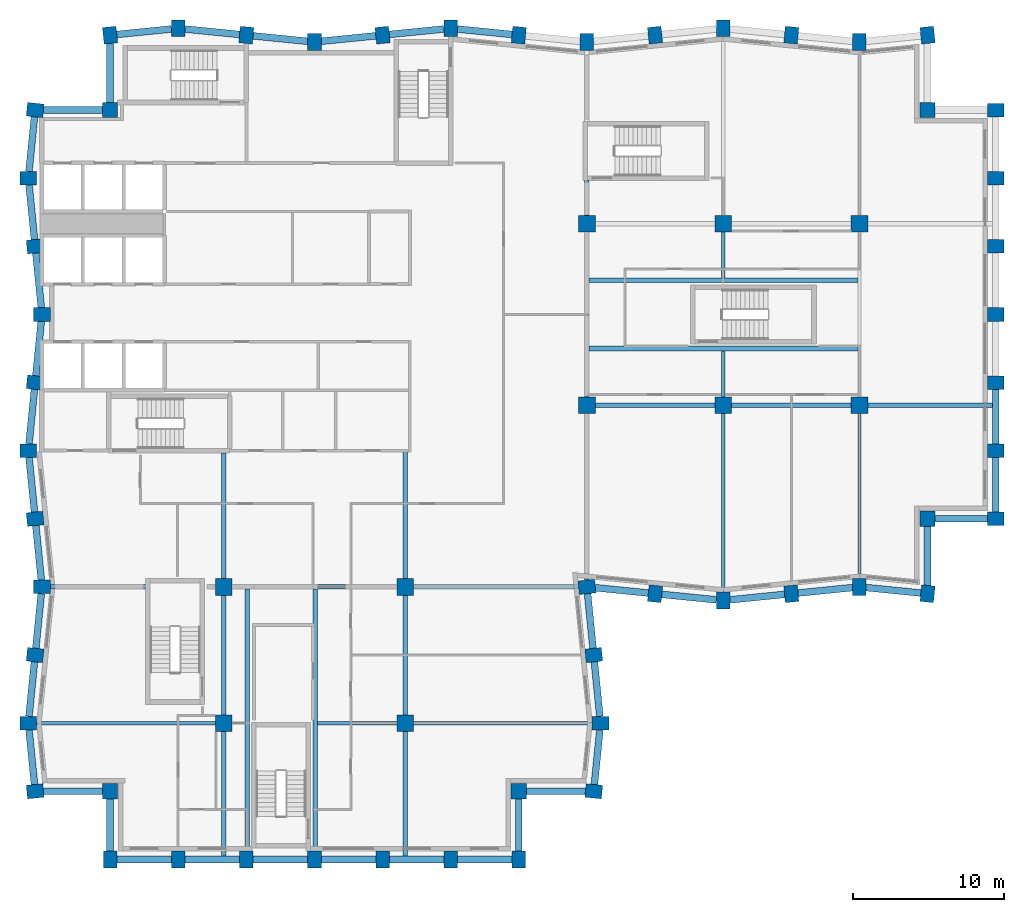
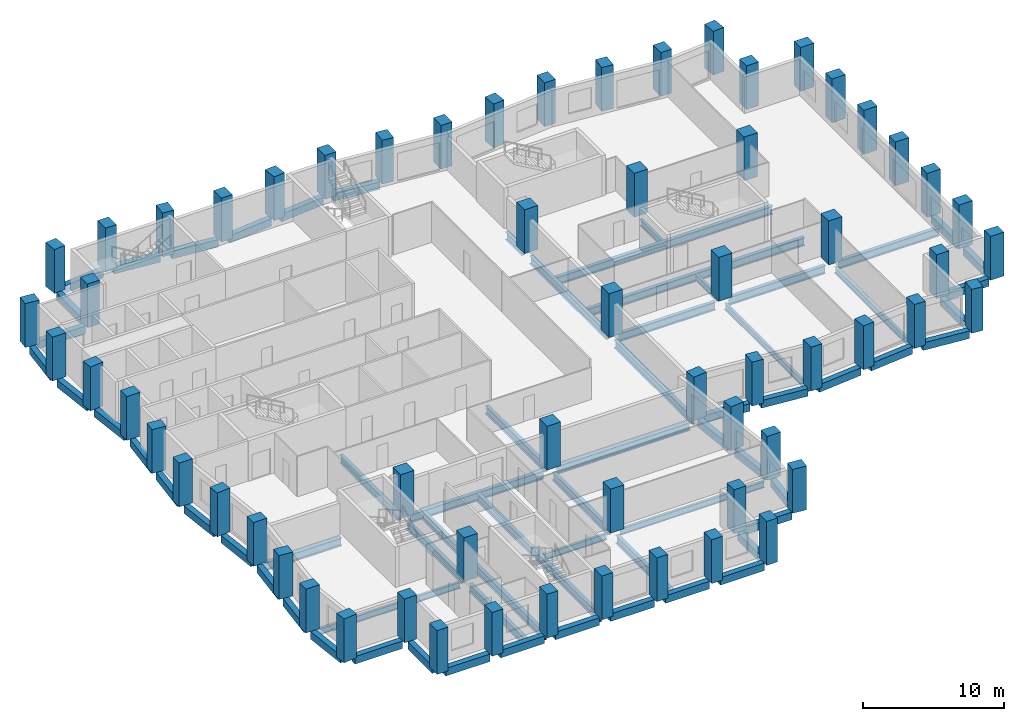
# One storey, part 1 of 10: 66 beams, 62 columns.
"""IFC4 building model written with IfcOpenShell, lengths in metres."""

from ifc_helpers import new_model, si_unit, direction, frame, origin, origin_2d, place, context, subcontext, project, spatial, rectangle, i_section, extrude, material, material_profile, profile_set, type_object, element, save


model = new_model("IFC4")

# Units and contexts
model_context = context("Model", 3, precision=1e-05, world=origin(), true_north=direction((0.0, 1.0)))
body_context = subcontext(model_context, "Body", "Model", "MODEL_VIEW")
ifc_project = project(units=[si_unit("LENGTHUNIT", "METRE"), si_unit("AREAUNIT", "SQUARE_METRE"), si_unit("VOLUMEUNIT", "CUBIC_METRE"), si_unit("PLANEANGLEUNIT", "RADIAN"), si_unit("MASSUNIT", "GRAM", prefix="KILO")], contexts=[model_context])

# Site, building, storey
site_placement = place(None, origin())
site = spatial("IfcSite", under=ifc_project, at=site_placement, CompositionType="ELEMENT")
building_placement = place(site_placement, origin())
building = spatial("IfcBuilding", under=site, at=building_placement, Name="Brondeck Convention Tower", CompositionType="ELEMENT")
storey_placement = place(building_placement, frame((0.0, 0.0, 162.39990234375)))
storey = spatial("IfcBuildingStorey", under=building, at=storey_placement, Name="L39", CompositionType="ELEMENT", Elevation=162.39990234375)

# Columns
ifc_material_1 = material(Name="Concrete C70/85", Category="concrete")
ifc_material_profile_1 = material_profile(ifc_material_1, rectangle(XDim=1.0, YDim=1.0, at=origin_2d()), Name="Corner column 1000x1000 Concrete C70/85")
ifc_profile_set_1 = profile_set([ifc_material_profile_1], Name="Concrete C70/85")
column_type_1 = type_object("IfcColumnType", Name="Corner column 1000x1000 Concrete C70/85", PredefinedType="COLUMN", material=ifc_profile_set_1)
for number, where, z_axis, x_axis, name in (
    (1, (4.5, 13.5, 0.0), (0.0, 0.0, 1.0), (1.0, 0.0, 0.0), "STR-COL-L39-NC-SWB9"),
    (2, (31.5, 13.5, 0.0), (0.0, 0.0, 1.0), (1.0, 0.0, 0.0), "STR-COL-L39-NC-SEB9"),
    (3, (58.5, 31.5, 0.0), (0.0, 0.0, 1.0), (1.0, 0.0, 0.0), "STR-COL-L39-NC-SEA63"),
    (4, (58.5, 58.5, 0.0), (0.0, 0.0, 1.0), (1.0, 0.0, 0.0), "STR-COL-L39-NC-NEA63"),
    (5, (4.5, 58.5, 0.0), (0.0, 0.0, 1.0), (1.0, 0.0, 0.0), "STR-COL-L39-NC-NW"),
):
    element("IfcColumn", number, at=place(storey_placement, frame(where, z_axis=z_axis, x_axis=x_axis)), inside=storey, type_object=column_type_1, Name=name, PredefinedType="COLUMN", context=body_context, shape_type="SweptSolid", body=[
        extrude(rectangle(XDim=1.0, YDim=1.0, at=origin_2d()), origin(), (0.0, 0.0, 1.0), 3.800048828125),
    ])
ifc_material_profile_2 = material_profile(ifc_material_1, rectangle(XDim=1.10009765625, YDim=1.10009765625, at=origin_2d()), Name="Interior column 1100x1100 Concrete C70/85")
ifc_profile_set_2 = profile_set([ifc_material_profile_2], Name="Concrete C70/85")
column_type_2 = type_object("IfcColumnType", Name="Interior column 1100x1100 Concrete C70/85", PredefinedType="COLUMN", material=ifc_profile_set_2)
for number, where, z_axis, x_axis, name in (
    (6, (12.0, 18.0, 0.0), (0.0, 0.0, 1.0), (1.0, 0.0, 0.0), "STR-COL-L39-IC-02"),
    (7, (12.0, 27.0, 0.0), (0.0, 0.0, 1.0), (1.0, 0.0, 0.0), "STR-COL-L39-IC-03"),
    (8, (24.0, 18.0, 0.0), (0.0, 0.0, 1.0), (1.0, 0.0, 0.0), "STR-COL-L39-IC-05"),
    (9, (24.0, 27.0, 0.0), (0.0, 0.0, 1.0), (1.0, 0.0, 0.0), "STR-COL-L39-IC-06"),
    (10, (36.0, 39.0, 0.0), (0.0, 0.0, 1.0), (1.0, 0.0, 0.0), "STR-COL-L39-IC-07"),
    (11, (36.0, 51.0, 0.0), (0.0, 0.0, 1.0), (1.0, 0.0, 0.0), "STR-COL-L39-IC-08"),
    (12, (45.0, 39.0, 0.0), (0.0, 0.0, 1.0), (1.0, 0.0, 0.0), "STR-COL-L39-IC-09"),
    (13, (45.0, 51.0, 0.0), (0.0, 0.0, 1.0), (1.0, 0.0, 0.0), "STR-COL-L39-IC-10"),
    (14, (54.0, 39.0, 0.0), (0.0, 0.0, 1.0), (1.0, 0.0, 0.0), "STR-COL-L39-IC-11"),
    (15, (54.0, 51.0, 0.0), (0.0, 0.0, 1.0), (1.0, 0.0, 0.0), "STR-COL-L39-IC-12"),
):
    element("IfcColumn", number, at=place(storey_placement, frame(where, z_axis=z_axis, x_axis=x_axis)), inside=storey, type_object=column_type_2, Name=name, PredefinedType="COLUMN", context=body_context, shape_type="SweptSolid", body=[
        extrude(rectangle(XDim=1.10009765625, YDim=1.10009765625, at=origin_2d()), origin(), (0.0, 0.0, 1.0), 3.800048828125),
    ])
ifc_material_profile_3 = material_profile(ifc_material_1, rectangle(XDim=0.89990234375, YDim=1.10009765625, at=origin_2d()), Name="Perimeter pier 900x1100 Concrete C70/85")
ifc_profile_set_3 = profile_set([ifc_material_profile_3], Name="Concrete C70/85")
column_type_3 = type_object("IfcColumnType", Name="Perimeter pier 900x1100 Concrete C70/85", PredefinedType="COLUMN", material=ifc_profile_set_3)
for number, where, z_axis, x_axis, name in (
    (16, (4.5, 9.0, 0.0), (0.0, 0.0, 1.0), (1.0, 0.0, 0.0), "STR-COL-L39-PC-B-S9-01"),
    (17, (9.0, 9.0, 0.0), (0.0, 0.0, 1.0), (1.0, 0.0, 0.0), "STR-COL-L39-PC-B-S9-02"),
    (18, (13.5, 9.0, 0.0), (0.0, 0.0, 1.0), (1.0, 0.0, 0.0), "STR-COL-L39-PC-B-S9-03"),
    (19, (18.0, 9.0, 0.0), (0.0, 0.0, 1.0), (1.0, 0.0, 0.0), "STR-COL-L39-PC-B-S9-04"),
    (20, (22.5, 9.0, 0.0), (0.0, 0.0, 1.0), (1.0, 0.0, 0.0), "STR-COL-L39-PC-B-S9-05"),
    (21, (27.0, 9.0, 0.0), (0.0, 0.0, 1.0), (1.0, 0.0, 0.0), "STR-COL-L39-PC-B-S9-06"),
    (22, (31.5, 9.0, 0.0), (0.0, 0.0, 1.0), (1.0, 0.0, 0.0), "STR-COL-L39-PC-B-S9-07"),
    (23, (36.449951171875, 13.5, 0.0), (0.0, 0.0, 1.0), (0.0995038382, 0.995037178292, 0.0), "STR-COL-L39-PC-B-E-03"),
    (24, (36.89990234375, 18.0, 0.0), (0.0, 0.0, 1.0), (0.0, 1.0, 0.0), "STR-COL-L39-PC-B-E-02"),
    (25, (36.449951171875, 22.5, 0.0), (0.0, 0.0, 1.0), (-0.0995038382, 0.995037178292, 0.0), "STR-COL-L39-PC-B-E-01"),
    (26, (36.0, 27.0, 0.0), (0.0, 0.0, 1.0), (-0.0995038382, 0.995037178292, 0.0), "STR-COL-L39-PC-B-E-00"),
    (27, (40.5, 26.550048828125, 0.0), (0.0, 0.0, 1.0), (0.995037178292, -0.0995038382, 0.0), "STR-COL-L39-PC-A-S-01"),
    (28, (45.0, 26.10009765625, 0.0), (0.0, 0.0, 1.0), (1.0, 0.0, 0.0), "STR-COL-L39-PC-A-S-02"),
    (29, (49.5, 26.550048828125, 0.0), (0.0, 0.0, 1.0), (0.995037178292, 0.0995038382, 0.0), "STR-COL-L39-PC-A-S-03"),
    (30, (54.0, 27.0, 0.0), (0.0, 0.0, 1.0), (1.0, 0.0, 0.0), "STR-COL-L39-PC-A-S-04"),
    (31, (58.5, 26.550048828125, 0.0), (0.0, 0.0, 1.0), (0.995037178292, -0.0995038382, 0.0), "STR-COL-L39-PC-A-S-05"),
    (32, (63.0, 31.5, 0.0), (0.0, 0.0, 1.0), (0.0, 1.0, 0.0), "STR-COL-L39-PC-A-E63-01"),
    (33, (63.0, 36.0, 0.0), (0.0, 0.0, 1.0), (0.0, 1.0, 0.0), "STR-COL-L39-PC-A-E63-02"),
    (34, (63.0, 40.5, 0.0), (0.0, 0.0, 1.0), (0.0, 1.0, 0.0), "STR-COL-L39-PC-A-E63-03"),
    (35, (63.0, 45.0, 0.0), (0.0, 0.0, 1.0), (0.0, 1.0, 0.0), "STR-COL-L39-PC-A-E63-04"),
    (36, (63.0, 49.5, 0.0), (0.0, 0.0, 1.0), (0.0, 1.0, 0.0), "STR-COL-L39-PC-A-E63-05"),
    (37, (63.0, 54.0, 0.0), (0.0, 0.0, 1.0), (0.0, 1.0, 0.0), "STR-COL-L39-PC-A-E63-06"),
    (38, (63.0, 58.5, 0.0), (0.0, 0.0, 1.0), (0.0, 1.0, 0.0), "STR-COL-L39-PC-A-E63-07"),
    (39, (58.5, 63.449951171875, 0.0), (0.0, 0.0, 1.0), (-0.995037178292, -0.0995038382, 0.0), "STR-COL-L39-PC-A-N-13"),
    (40, (54.0, 63.0, 0.0), (0.0, 0.0, 1.0), (-1.0, 0.0, 0.0), "STR-COL-L39-PC-A-N-12"),
    (41, (49.5, 63.449951171875, 0.0), (0.0, 0.0, 1.0), (-0.995037178292, 0.0995038382, 0.0), "STR-COL-L39-PC-A-N-11"),
    (42, (45.0, 63.89990234375, 0.0), (0.0, 0.0, 1.0), (-1.0, 0.0, 0.0), "STR-COL-L39-PC-A-N-10"),
    (43, (40.5, 63.449951171875, 0.0), (0.0, 0.0, 1.0), (-0.995037178292, -0.0995038382, 0.0), "STR-COL-L39-PC-A-N-09"),
    (44, (36.0, 63.0, 0.0), (0.0, 0.0, 1.0), (-1.0, 0.0, 0.0), "STR-COL-L39-PC-A-N-08"),
    (45, (31.5, 63.449951171875, 0.0), (0.0, 0.0, 1.0), (-0.995037178292, 0.0995038382, 0.0), "STR-COL-L39-PC-A-N-07"),
    (46, (27.0, 63.89990234375, 0.0), (0.0, 0.0, 1.0), (-1.0, 0.0, 0.0), "STR-COL-L39-PC-A-N-06"),
    (47, (22.5, 63.449951171875, 0.0), (0.0, 0.0, 1.0), (-0.995037178292, -0.0995038382, 0.0), "STR-COL-L39-PC-A-N-05"),
    (48, (18.0, 63.0, 0.0), (0.0, 0.0, 1.0), (-1.0, 0.0, 0.0), "STR-COL-L39-PC-A-N-04"),
    (49, (13.5, 63.449951171875, 0.0), (0.0, 0.0, 1.0), (-0.995037178292, 0.0995038382, 0.0), "STR-COL-L39-PC-A-N-03"),
    (50, (9.0, 63.89990234375, 0.0), (0.0, 0.0, 1.0), (-1.0, 0.0, 0.0), "STR-COL-L39-PC-A-N-02"),
    (51, (4.5, 63.449951171875, 0.0), (0.0, 0.0, 1.0), (-0.995037178292, -0.0995038382, 0.0), "STR-COL-L39-PC-A-N-01"),
    (52, (-0.449951171875, 58.5, 0.0), (0.0, 0.0, 1.0), (-0.0995038382, -0.995037178292, 0.0), "STR-COL-L39-PC-B-W-01"),
    (53, (-0.89990234375, 54.0, 0.0), (0.0, 0.0, 1.0), (0.0, -1.0, 0.0), "STR-COL-L39-PC-B-W-02"),
    (54, (-0.449951171875, 49.5, 0.0), (0.0, 0.0, 1.0), (0.0995038382, -0.995037178292, 0.0), "STR-COL-L39-PC-B-W-03"),
    (55, (0.0, 45.0, 0.0), (0.0, 0.0, 1.0), (0.0, -1.0, 0.0), "STR-COL-L39-PC-B-W-04"),
    (56, (-0.449951171875, 40.5, 0.0), (0.0, 0.0, 1.0), (-0.0995038382, -0.995037178292, 0.0), "STR-COL-L39-PC-B-W-05"),
    (57, (-0.89990234375, 36.0, 0.0), (0.0, 0.0, 1.0), (0.0, -1.0, 0.0), "STR-COL-L39-PC-B-W-06"),
    (58, (-0.449951171875, 31.5, 0.0), (0.0, 0.0, 1.0), (0.0995038382, -0.995037178292, 0.0), "STR-COL-L39-PC-B-W-07"),
    (59, (0.0, 27.0, 0.0), (0.0, 0.0, 1.0), (0.0, -1.0, 0.0), "STR-COL-L39-PC-B-W-08"),
    (60, (-0.449951171875, 22.5, 0.0), (0.0, 0.0, 1.0), (-0.0995038382, -0.995037178292, 0.0), "STR-COL-L39-PC-B-W-09"),
    (61, (-0.89990234375, 18.0, 0.0), (0.0, 0.0, 1.0), (0.0, -1.0, 0.0), "STR-COL-L39-PC-B-W-10"),
    (62, (-0.449951171875, 13.5, 0.0), (0.0, 0.0, 1.0), (0.0995038382, -0.995037178292, 0.0), "STR-COL-L39-PC-B-W-11"),
):
    element("IfcColumn", number, at=place(storey_placement, frame(where, z_axis=z_axis, x_axis=x_axis)), inside=storey, type_object=column_type_3, Name=name, PredefinedType="COLUMN", context=body_context, shape_type="SweptSolid", body=[
        extrude(rectangle(XDim=0.89990234375, YDim=1.10009765625, at=origin_2d()), origin(), (0.0, 0.0, 1.0), 3.800048828125),
    ])

# Beams
ifc_material_2 = material(Name="Steel S355", Category="steel")
ifc_material_profile_4 = material_profile(ifc_material_2, i_section(OverallWidth=0.2099609375, OverallDepth=0.550048828125, WebThickness=0.010986328125, FlangeThickness=0.01708984375, FilletRadius=0.02392578125, at=origin_2d()), Name="IPE 550")
ifc_profile_set_4 = profile_set([ifc_material_profile_4], Name="Steel S355")
beam_type_1 = type_object("IfcBeamType", Name="Floor beam IPE 550", PredefinedType="BEAM", material=ifc_profile_set_4)
beam_1_placement = place(storey_placement, frame((45.0, 26.64990234375, -0.574951171875), z_axis=(0.0, 1.0, 0.0), x_axis=(-1.0, 0.0, 0.0)))
element("IfcBeam", 63, at=beam_1_placement, inside=storey, type_object=beam_type_1, Name="STR-FB-L39-001", PredefinedType="BEAM", context=body_context, shape_type="SweptSolid", body=[
    extrude(i_section(OverallWidth=0.2099609375, OverallDepth=0.550048828125, WebThickness=0.010986328125, FlangeThickness=0.01708984375, FilletRadius=0.02392578125, at=origin_2d()), origin(), (0.0, 0.0, 1.0), 11.800048828125),
])
beam_2_placement = place(storey_placement, frame((54.0, 27.550048828125, -0.574951171875), z_axis=(0.0, 1.0, 0.0), x_axis=(-1.0, 0.0, 0.0)))
element("IfcBeam", 64, at=beam_2_placement, inside=storey, type_object=beam_type_1, Name="STR-FB-L39-003", PredefinedType="BEAM", context=body_context, shape_type="SweptSolid", body=[
    extrude(i_section(OverallWidth=0.2099609375, OverallDepth=0.550048828125, WebThickness=0.010986328125, FlangeThickness=0.01708984375, FilletRadius=0.02392578125, at=origin_2d()), origin(), (0.0, 0.0, 1.0), 10.89990234375),
])
for number, where, z_axis, x_axis, name in (
    (65, (-0.35009765625, 18.0, -0.574951171875), (1.0, 0.0, 0.0), (0.0, 1.0, 0.0), "STR-FB-L39-006"),
    (66, (24.550048828125, 18.0, -0.574951171875), (1.0, 0.0, 0.0), (0.0, 1.0, 0.0), "STR-FB-L39-007"),
):
    element("IfcBeam", number, at=place(storey_placement, frame(where, z_axis=z_axis, x_axis=x_axis)), inside=storey, type_object=beam_type_1, Name=name, PredefinedType="BEAM", context=body_context, shape_type="SweptSolid", body=[
        extrude(i_section(OverallWidth=0.2099609375, OverallDepth=0.550048828125, WebThickness=0.010986328125, FlangeThickness=0.01708984375, FilletRadius=0.02392578125, at=origin_2d()), origin(), (0.0, 0.0, 1.0), 11.800048828125),
    ])
for number, where, z_axis, x_axis, name in (
    (67, (45.0, 39.550048828125, -0.574951171875), (0.0, 1.0, 0.0), (-1.0, 0.0, 0.0), "STR-FB-L39-008"),
    (68, (45.0, 47.39990234375, -0.574951171875), (0.0, 1.0, 0.0), (-1.0, 0.0, 0.0), "STR-FB-L39-009"),
):
    element("IfcBeam", number, at=place(storey_placement, frame(where, z_axis=z_axis, x_axis=x_axis)), inside=storey, type_object=beam_type_1, Name=name, PredefinedType="BEAM", context=body_context, shape_type="SweptSolid", body=[
        extrude(i_section(OverallWidth=0.2099609375, OverallDepth=0.550048828125, WebThickness=0.010986328125, FlangeThickness=0.01708984375, FilletRadius=0.02392578125, at=origin_2d()), origin(), (0.0, 0.0, 1.0), 3.050048828125),
    ])
beam_3_placement = place(storey_placement, frame((18.199951171875, 18.0, -0.574951171875), z_axis=(1.0, 0.0, 0.0), x_axis=(0.0, 1.0, 0.0)))
element("IfcBeam", 69, at=beam_3_placement, inside=storey, type_object=beam_type_1, Name="STR-FB-L39-010", PredefinedType="BEAM", context=body_context, shape_type="SweptSolid", body=[
    extrude(i_section(OverallWidth=0.2099609375, OverallDepth=0.550048828125, WebThickness=0.010986328125, FlangeThickness=0.01708984375, FilletRadius=0.02392578125, at=origin_2d()), origin(), (0.0, 0.0, 1.0), 5.25),
])
ifc_material_profile_5 = material_profile(ifc_material_2, i_section(OverallWidth=0.300048828125, OverallDepth=0.699951171875, WebThickness=0.01708984375, FlangeThickness=0.031982421875, FilletRadius=0.027099609375, at=origin_2d()), Name="HEB 700")
ifc_profile_set_5 = profile_set([ifc_material_profile_5], Name="Steel S355")
beam_type_2 = type_object("IfcBeamType", Name="Girder HEB 700", PredefinedType="BEAM", material=ifc_profile_set_5)
for number, where, z_axis, x_axis, name in (
    (70, (36.550048828125, 39.0, -0.64990234375), (1.0, 0.0, 0.0), (0.0, 1.0, 0.0), "STR-GR-L39-001"),
    (71, (45.550048828125, 39.0, -0.64990234375), (1.0, 0.0, 0.0), (0.0, 1.0, 0.0), "STR-GR-L39-002"),
):
    element("IfcBeam", number, at=place(storey_placement, frame(where, z_axis=z_axis, x_axis=x_axis)), inside=storey, type_object=beam_type_2, Name=name, PredefinedType="BEAM", context=body_context, shape_type="SweptSolid", body=[
        extrude(i_section(OverallWidth=0.300048828125, OverallDepth=0.699951171875, WebThickness=0.01708984375, FlangeThickness=0.031982421875, FilletRadius=0.027099609375, at=origin_2d()), origin(), (0.0, 0.0, 1.0), 7.89990234375),
    ])
beam_4_placement = place(storey_placement, frame((54.550048828125, 39.0, -0.64990234375), z_axis=(1.0, 0.0, 0.0), x_axis=(0.0, 1.0, 0.0)))
element("IfcBeam", 72, at=beam_4_placement, inside=storey, type_object=beam_type_2, Name="STR-GR-L39-003", PredefinedType="BEAM", context=body_context, shape_type="SweptSolid", body=[
    extrude(i_section(OverallWidth=0.300048828125, OverallDepth=0.699951171875, WebThickness=0.01708984375, FlangeThickness=0.031982421875, FilletRadius=0.027099609375, at=origin_2d()), origin(), (0.0, 0.0, 1.0), 8.224853515625),
])
beam_5_placement = place(storey_placement, frame((36.0, 27.4521484375, -0.64990234375), z_axis=(0.0, 1.0, 0.0), x_axis=(-1.0, 0.0, 0.0)))
element("IfcBeam", 73, at=beam_5_placement, inside=storey, type_object=beam_type_2, Name="STR-GR-L39-007", PredefinedType="BEAM", context=body_context, shape_type="SweptSolid", body=[
    extrude(i_section(OverallWidth=0.300048828125, OverallDepth=0.699951171875, WebThickness=0.01708984375, FlangeThickness=0.031982421875, FilletRadius=0.027099609375, at=origin_2d()), origin(), (0.0, 0.0, 1.0), 10.997802734375),
])
beam_6_placement = place(storey_placement, frame((36.0, 39.550048828125, -0.64990234375), z_axis=(0.0, 1.0, 0.0), x_axis=(-1.0, 0.0, 0.0)))
element("IfcBeam", 74, at=beam_6_placement, inside=storey, type_object=beam_type_2, Name="STR-GR-L39-008", PredefinedType="BEAM", context=body_context, shape_type="SweptSolid", body=[
    extrude(i_section(OverallWidth=0.300048828125, OverallDepth=0.699951171875, WebThickness=0.01708984375, FlangeThickness=0.031982421875, FilletRadius=0.027099609375, at=origin_2d()), origin(), (0.0, 0.0, 1.0), 10.89990234375),
])
beam_7_placement = place(storey_placement, frame((36.0, 51.550048828125, -0.64990234375), z_axis=(0.0, 1.0, 0.0), x_axis=(-1.0, 0.0, 0.0)))
element("IfcBeam", 75, at=beam_7_placement, inside=storey, type_object=beam_type_2, Name="STR-GR-L39-009", PredefinedType="BEAM", context=body_context, shape_type="SweptSolid", body=[
    extrude(i_section(OverallWidth=0.300048828125, OverallDepth=0.699951171875, WebThickness=0.01708984375, FlangeThickness=0.031982421875, FilletRadius=0.027099609375, at=origin_2d()), origin(), (0.0, 0.0, 1.0), 2.329833984375),
])
beam_8_placement = place(storey_placement, frame((12.0, 35.85009765625, -0.64990234375), z_axis=(0.0, -1.0, 0.0), x_axis=(1.0, 0.0, 0.0)))
element("IfcBeam", 76, at=beam_8_placement, inside=storey, type_object=beam_type_2, Name="STR-GR-L39-011", PredefinedType="BEAM", context=body_context, shape_type="SweptSolid", body=[
    extrude(i_section(OverallWidth=0.300048828125, OverallDepth=0.699951171875, WebThickness=0.01708984375, FlangeThickness=0.031982421875, FilletRadius=0.027099609375, at=origin_2d()), origin(), (0.0, 0.0, 1.0), 8.300048828125),
])
beam_9_placement = place(storey_placement, frame((12.0, 26.449951171875, -0.64990234375), z_axis=(0.0, -1.0, 0.0), x_axis=(1.0, 0.0, 0.0)))
element("IfcBeam", 77, at=beam_9_placement, inside=storey, type_object=beam_type_2, Name="STR-GR-L39-012", PredefinedType="BEAM", context=body_context, shape_type="SweptSolid", body=[
    extrude(i_section(OverallWidth=0.300048828125, OverallDepth=0.699951171875, WebThickness=0.01708984375, FlangeThickness=0.031982421875, FilletRadius=0.027099609375, at=origin_2d()), origin(), (0.0, 0.0, 1.0), 7.89990234375),
])
beam_10_placement = place(storey_placement, frame((12.0, 17.449951171875, -0.64990234375), z_axis=(0.0, -1.0, 0.0), x_axis=(1.0, 0.0, 0.0)))
element("IfcBeam", 78, at=beam_10_placement, inside=storey, type_object=beam_type_2, Name="STR-GR-L39-013", PredefinedType="BEAM", context=body_context, shape_type="SweptSolid", body=[
    extrude(i_section(OverallWidth=0.300048828125, OverallDepth=0.699951171875, WebThickness=0.01708984375, FlangeThickness=0.031982421875, FilletRadius=0.027099609375, at=origin_2d()), origin(), (0.0, 0.0, 1.0), 8.224853515625),
])
beam_11_placement = place(storey_placement, frame((24.0, 35.955078125, -0.64990234375), z_axis=(0.0, -1.0, 0.0), x_axis=(1.0, 0.0, 0.0)))
element("IfcBeam", 79, at=beam_11_placement, inside=storey, type_object=beam_type_2, Name="STR-GR-L39-014", PredefinedType="BEAM", context=body_context, shape_type="SweptSolid", body=[
    extrude(i_section(OverallWidth=0.300048828125, OverallDepth=0.699951171875, WebThickness=0.01708984375, FlangeThickness=0.031982421875, FilletRadius=0.027099609375, at=origin_2d()), origin(), (0.0, 0.0, 1.0), 8.405029296875),
])
beam_12_placement = place(storey_placement, frame((24.0, 26.449951171875, -0.64990234375), z_axis=(0.0, -1.0, 0.0), x_axis=(1.0, 0.0, 0.0)))
element("IfcBeam", 80, at=beam_12_placement, inside=storey, type_object=beam_type_2, Name="STR-GR-L39-015", PredefinedType="BEAM", context=body_context, shape_type="SweptSolid", body=[
    extrude(i_section(OverallWidth=0.300048828125, OverallDepth=0.699951171875, WebThickness=0.01708984375, FlangeThickness=0.031982421875, FilletRadius=0.027099609375, at=origin_2d()), origin(), (0.0, 0.0, 1.0), 7.89990234375),
])
beam_13_placement = place(storey_placement, frame((24.0, 17.449951171875, -0.64990234375), z_axis=(0.0, -1.0, 0.0), x_axis=(1.0, 0.0, 0.0)))
element("IfcBeam", 81, at=beam_13_placement, inside=storey, type_object=beam_type_2, Name="STR-GR-L39-016", PredefinedType="BEAM", context=body_context, shape_type="SweptSolid", body=[
    extrude(i_section(OverallWidth=0.300048828125, OverallDepth=0.699951171875, WebThickness=0.01708984375, FlangeThickness=0.031982421875, FilletRadius=0.027099609375, at=origin_2d()), origin(), (0.0, 0.0, 1.0), 8.224853515625),
])
beam_14_placement = place(storey_placement, frame((0.550048828125, 27.0, -0.64990234375), z_axis=(1.0, 0.0, 0.0), x_axis=(0.0, 1.0, 0.0)))
element("IfcBeam", 82, at=beam_14_placement, inside=storey, type_object=beam_type_2, Name="STR-GR-L39-017", PredefinedType="BEAM", context=body_context, shape_type="SweptSolid", body=[
    extrude(i_section(OverallWidth=0.300048828125, OverallDepth=0.699951171875, WebThickness=0.01708984375, FlangeThickness=0.031982421875, FilletRadius=0.027099609375, at=origin_2d()), origin(), (0.0, 0.0, 1.0), 6.329833984375),
])
beam_15_placement = place(storey_placement, frame((12.550048828125, 27.0, -0.64990234375), z_axis=(1.0, 0.0, 0.0), x_axis=(0.0, 1.0, 0.0)))
element("IfcBeam", 83, at=beam_15_placement, inside=storey, type_object=beam_type_2, Name="STR-GR-L39-018", PredefinedType="BEAM", context=body_context, shape_type="SweptSolid", body=[
    extrude(i_section(OverallWidth=0.300048828125, OverallDepth=0.699951171875, WebThickness=0.01708984375, FlangeThickness=0.031982421875, FilletRadius=0.027099609375, at=origin_2d()), origin(), (0.0, 0.0, 1.0), 10.89990234375),
])
beam_16_placement = place(storey_placement, frame((24.550048828125, 27.0, -0.64990234375), z_axis=(1.0, 0.0, 0.0), x_axis=(0.0, 1.0, 0.0)))
element("IfcBeam", 84, at=beam_16_placement, inside=storey, type_object=beam_type_2, Name="STR-GR-L39-019", PredefinedType="BEAM", context=body_context, shape_type="SweptSolid", body=[
    extrude(i_section(OverallWidth=0.300048828125, OverallDepth=0.699951171875, WebThickness=0.01708984375, FlangeThickness=0.031982421875, FilletRadius=0.027099609375, at=origin_2d()), origin(), (0.0, 0.0, 1.0), 10.897216796875),
])
for number, where, z_axis, x_axis, name in (
    (85, (36.14990234375, 42.75, -0.64990234375), (1.0, 0.0, 0.0), (0.0, 1.0, 0.0), "STR-GR-L39-020"),
    (86, (36.14990234375, 47.25, -0.64990234375), (1.0, 0.0, 0.0), (0.0, 1.0, 0.0), "STR-GR-L39-021"),
):
    element("IfcBeam", number, at=place(storey_placement, frame(where, z_axis=z_axis, x_axis=x_axis)), inside=storey, type_object=beam_type_2, Name=name, PredefinedType="BEAM", context=body_context, shape_type="SweptSolid", body=[
        extrude(i_section(OverallWidth=0.300048828125, OverallDepth=0.699951171875, WebThickness=0.01708984375, FlangeThickness=0.031982421875, FilletRadius=0.027099609375, at=origin_2d()), origin(), (0.0, 0.0, 1.0), 17.7451171875),
    ])
for number, where, z_axis, x_axis, name in (
    (87, (13.550048828125, 9.550048828125, -0.64990234375), (0.0, 1.0, 0.0), (-1.0, 0.0, 0.0), "STR-GR-L39-022"),
    (88, (18.050048828125, 9.550048828125, -0.64990234375), (0.0, 1.0, 0.0), (-1.0, 0.0, 0.0), "STR-GR-L39-023"),
):
    element("IfcBeam", number, at=place(storey_placement, frame(where, z_axis=z_axis, x_axis=x_axis)), inside=storey, type_object=beam_type_2, Name=name, PredefinedType="BEAM", context=body_context, shape_type="SweptSolid", body=[
        extrude(i_section(OverallWidth=0.300048828125, OverallDepth=0.699951171875, WebThickness=0.01708984375, FlangeThickness=0.031982421875, FilletRadius=0.027099609375, at=origin_2d()), origin(), (0.0, 0.0, 1.0), 17.300048828125),
    ])
ifc_material_profile_6 = material_profile(ifc_material_1, rectangle(XDim=0.449951171875, YDim=0.64990234375, at=origin_2d()), Name="Precast spandrel 450x650 Concrete C70/85")
ifc_profile_set_6 = profile_set([ifc_material_profile_6], Name="Concrete C70/85")
beam_type_3 = type_object("IfcBeamType", Name="Precast spandrel 450x650 Concrete C70/85", PredefinedType="SPANDREL", material=ifc_profile_set_6)
for number, where, z_axis, x_axis, name in (
    (89, (4.949951171875, 9.0, -0.324951171875), (1.0, 0.0, 0.0), (0.0, 1.0, 0.0), "STR-SP-L39-001"),
    (90, (9.449951171875, 9.0, -0.324951171875), (1.0, 0.0, 0.0), (0.0, 1.0, 0.0), "STR-SP-L39-002"),
    (91, (13.949951171875, 9.0, -0.324951171875), (1.0, 0.0, 0.0), (0.0, 1.0, 0.0), "STR-SP-L39-003"),
    (92, (18.449951171875, 9.0, -0.324951171875), (1.0, 0.0, 0.0), (0.0, 1.0, 0.0), "STR-SP-L39-004"),
    (93, (22.949951171875, 9.0, -0.324951171875), (1.0, 0.0, 0.0), (0.0, 1.0, 0.0), "STR-SP-L39-005"),
    (94, (27.449951171875, 9.0, -0.324951171875), (1.0, 0.0, 0.0), (0.0, 1.0, 0.0), "STR-SP-L39-006"),
):
    element("IfcBeam", number, at=place(storey_placement, frame(where, z_axis=z_axis, x_axis=x_axis)), inside=storey, type_object=beam_type_3, Name=name, PredefinedType="SPANDREL", context=body_context, shape_type="SweptSolid", body=[
        extrude(rectangle(XDim=0.449951171875, YDim=0.64990234375, at=origin_2d()), origin(), (0.0, 0.0, 1.0), 3.60009765625),
    ])
beam_17_placement = place(storey_placement, frame((31.5, 9.550048828125, -0.324951171875), z_axis=(0.0, 1.0, 0.0), x_axis=(-1.0, 0.0, 0.0)))
element("IfcBeam", 95, at=beam_17_placement, inside=storey, type_object=beam_type_3, Name="STR-SP-L39-007", PredefinedType="SPANDREL", context=body_context, shape_type="SweptSolid", body=[
    extrude(rectangle(XDim=0.449951171875, YDim=0.64990234375, at=origin_2d()), origin(), (0.0, 0.0, 1.0), 3.449951171875),
])
beam_18_placement = place(storey_placement, frame((32.0, 13.5, -0.324951171875), z_axis=(1.0, 0.0, 0.0), x_axis=(0.0, 1.0, 0.0)))
element("IfcBeam", 96, at=beam_18_placement, inside=storey, type_object=beam_type_3, Name="STR-SP-L39-008", PredefinedType="SPANDREL", context=body_context, shape_type="SweptSolid", body=[
    extrude(rectangle(XDim=0.449951171875, YDim=0.64990234375, at=origin_2d()), origin(), (0.0, 0.0, 1.0), 3.897216796875),
])
for number, where, z_axis, x_axis, name in (
    (97, (36.494873046875, 13.94775390625, -0.324951171875), (0.099470334057, 0.995040528141, 0.0), (-0.995040528141, 0.099470334057, 0.0), "STR-SP-L39-009"),
    (98, (36.85498046875, 18.449951171875, -0.324951171875), (-0.099470334057, 0.995040528141, 0.0), (-0.995040528141, -0.099470334057, 0.0), "STR-SP-L39-010"),
):
    element("IfcBeam", number, at=place(storey_placement, frame(where, z_axis=z_axis, x_axis=x_axis)), inside=storey, type_object=beam_type_3, Name=name, PredefinedType="SPANDREL", context=body_context, shape_type="SweptSolid", body=[
        extrude(rectangle(XDim=0.449951171875, YDim=0.64990234375, at=origin_2d()), origin(), (0.0, 0.0, 1.0), 3.620361328125),
    ])
beam_19_placement = place(storey_placement, frame((36.4052734375, 22.94775390625, -0.324951171875), z_axis=(-0.099543756114, 0.995033185687, 0.0), x_axis=(-0.995033185687, -0.099543756114, 0.0)))
element("IfcBeam", 99, at=beam_19_placement, inside=storey, type_object=beam_type_3, Name="STR-SP-L39-011", PredefinedType="SPANDREL", context=body_context, shape_type="SweptSolid", body=[
    extrude(rectangle(XDim=0.449951171875, YDim=0.64990234375, at=origin_2d()), origin(), (0.0, 0.0, 1.0), 3.62255859375),
])
beam_20_placement = place(storey_placement, frame((36.558349609375, 26.944091796875, -0.324951171875), z_axis=(0.995037878598, -0.099496834901, 0.0), x_axis=(0.099496834901, 0.995037878598, 0.0)))
element("IfcBeam", 100, at=beam_20_placement, inside=storey, type_object=beam_type_3, Name="STR-SP-L39-012", PredefinedType="SPANDREL", context=body_context, shape_type="SweptSolid", body=[
    extrude(rectangle(XDim=0.449951171875, YDim=0.64990234375, at=origin_2d()), origin(), (0.0, 0.0, 1.0), 3.51123046875),
])
for number, where, z_axis, x_axis, name in (
    (101, (40.94775390625, 26.505126953125, -0.324951171875), (0.995040528141, -0.099470334057, 0.0), (0.099470334057, 0.995040528141, 0.0), "STR-SP-L39-013"),
    (102, (45.449951171875, 26.14501953125, -0.324951171875), (0.995040528141, 0.099470334057, 0.0), (-0.099470334057, 0.995040528141, 0.0), "STR-SP-L39-014"),
    (103, (49.94775390625, 26.5947265625, -0.324951171875), (0.995033851182, 0.099537103649, 0.0), (-0.099537103649, 0.995033851182, 0.0), "STR-SP-L39-015"),
    (104, (54.449951171875, 26.955078125, -0.324951171875), (0.995033851182, -0.099537103649, 0.0), (0.099537103649, 0.995033851182, 0.0), "STR-SP-L39-016"),
):
    element("IfcBeam", number, at=place(storey_placement, frame(where, z_axis=z_axis, x_axis=x_axis)), inside=storey, type_object=beam_type_3, Name=name, PredefinedType="SPANDREL", context=body_context, shape_type="SweptSolid", body=[
        extrude(rectangle(XDim=0.449951171875, YDim=0.64990234375, at=origin_2d()), origin(), (0.0, 0.0, 1.0), 3.620361328125),
    ])
beam_21_placement = place(storey_placement, frame((58.5, 27.102783203125, -0.324951171875), z_axis=(0.0, 1.0, 0.0), x_axis=(-1.0, 0.0, 0.0)))
element("IfcBeam", 105, at=beam_21_placement, inside=storey, type_object=beam_type_3, Name="STR-SP-L39-017", PredefinedType="SPANDREL", context=body_context, shape_type="SweptSolid", body=[
    extrude(rectangle(XDim=0.449951171875, YDim=0.64990234375, at=origin_2d()), origin(), (0.0, 0.0, 1.0), 3.897216796875),
])
beam_22_placement = place(storey_placement, frame((59.0, 31.5, -0.324951171875), z_axis=(1.0, 0.0, 0.0), x_axis=(0.0, 1.0, 0.0)))
element("IfcBeam", 106, at=beam_22_placement, inside=storey, type_object=beam_type_3, Name="STR-SP-L39-018", PredefinedType="SPANDREL", context=body_context, shape_type="SweptSolid", body=[
    extrude(rectangle(XDim=0.449951171875, YDim=0.64990234375, at=origin_2d()), origin(), (0.0, 0.0, 1.0), 3.449951171875),
])
for number, where, z_axis, x_axis, name in (
    (107, (63.0, 31.949951171875, -0.324951171875), (0.0, 1.0, 0.0), (-1.0, 0.0, 0.0), "STR-SP-L39-019"),
    (108, (63.0, 36.449951171875, -0.324951171875), (0.0, 1.0, 0.0), (-1.0, 0.0, 0.0), "STR-SP-L39-020"),
):
    element("IfcBeam", number, at=place(storey_placement, frame(where, z_axis=z_axis, x_axis=x_axis)), inside=storey, type_object=beam_type_3, Name=name, PredefinedType="SPANDREL", context=body_context, shape_type="SweptSolid", body=[
        extrude(rectangle(XDim=0.449951171875, YDim=0.64990234375, at=origin_2d()), origin(), (0.0, 0.0, 1.0), 3.60009765625),
    ])
for number, where, z_axis, x_axis, name in (
    (109, (31.05224609375, 63.494873046875, -0.324951171875), (-0.995040528141, 0.099470334057, 0.0), (-0.099470334057, -0.995040528141, 0.0), "STR-SP-L39-033"),
    (110, (26.550048828125, 63.85498046875, -0.324951171875), (-0.995040528141, -0.099470334057, 0.0), (0.099470334057, -0.995040528141, 0.0), "STR-SP-L39-034"),
    (111, (22.05224609375, 63.4052734375, -0.324951171875), (-0.995033851182, -0.099537103649, 0.0), (0.099537103649, -0.995033851182, 0.0), "STR-SP-L39-035"),
    (112, (17.550048828125, 63.044921875, -0.324951171875), (-0.995033851182, 0.099537103649, 0.0), (-0.099537103649, -0.995033851182, 0.0), "STR-SP-L39-036"),
    (113, (13.05224609375, 63.494873046875, -0.324951171875), (-0.995040528141, 0.099470334057, 0.0), (-0.099470334057, -0.995040528141, 0.0), "STR-SP-L39-037"),
    (114, (8.550048828125, 63.85498046875, -0.324951171875), (-0.995040528141, -0.099470334057, 0.0), (0.099470334057, -0.995040528141, 0.0), "STR-SP-L39-038"),
):
    element("IfcBeam", number, at=place(storey_placement, frame(where, z_axis=z_axis, x_axis=x_axis)), inside=storey, type_object=beam_type_3, Name=name, PredefinedType="SPANDREL", context=body_context, shape_type="SweptSolid", body=[
        extrude(rectangle(XDim=0.449951171875, YDim=0.64990234375, at=origin_2d()), origin(), (0.0, 0.0, 1.0), 3.620361328125),
    ])
for number, where, z_axis, x_axis, name in (
    (115, (4.5, 62.897216796875, -0.324951171875), (0.0, -1.0, 0.0), (1.0, 0.0, 0.0), "STR-SP-L39-039"),
    (116, (4.0, 58.5, -0.324951171875), (-1.0, 0.0, 0.0), (0.0, -1.0, 0.0), "STR-SP-L39-040"),
):
    element("IfcBeam", number, at=place(storey_placement, frame(where, z_axis=z_axis, x_axis=x_axis)), inside=storey, type_object=beam_type_3, Name=name, PredefinedType="SPANDREL", context=body_context, shape_type="SweptSolid", body=[
        extrude(rectangle(XDim=0.449951171875, YDim=0.64990234375, at=origin_2d()), origin(), (0.0, 0.0, 1.0), 3.897216796875),
    ])
for number, where, z_axis, x_axis, name in (
    (117, (-0.494873046875, 58.05224609375, -0.324951171875), (-0.099470334057, -0.995040528141, 0.0), (0.995040528141, -0.099470334057, 0.0), "STR-SP-L39-041"),
    (118, (-0.85498046875, 53.550048828125, -0.324951171875), (0.099470334057, -0.995040528141, 0.0), (0.995040528141, 0.099470334057, 0.0), "STR-SP-L39-042"),
    (119, (-0.4052734375, 49.05224609375, -0.324951171875), (0.099537103649, -0.995033851182, 0.0), (0.995033851182, 0.099537103649, 0.0), "STR-SP-L39-043"),
    (120, (-0.044921875, 44.550048828125, -0.324951171875), (-0.099537103649, -0.995033851182, 0.0), (0.995033851182, -0.099537103649, 0.0), "STR-SP-L39-044"),
    (121, (-0.494873046875, 40.05224609375, -0.324951171875), (-0.099470334057, -0.995040528141, 0.0), (0.995040528141, -0.099470334057, 0.0), "STR-SP-L39-045"),
    (122, (-0.85498046875, 35.550048828125, -0.324951171875), (0.099470334057, -0.995040528141, 0.0), (0.995040528141, 0.099470334057, 0.0), "STR-SP-L39-046"),
    (123, (-0.4052734375, 31.05224609375, -0.324951171875), (0.099537103649, -0.995033851182, 0.0), (0.995033851182, 0.099537103649, 0.0), "STR-SP-L39-047"),
    (124, (-0.044921875, 26.550048828125, -0.324951171875), (-0.099537103649, -0.995033851182, 0.0), (0.995033851182, -0.099537103649, 0.0), "STR-SP-L39-048"),
    (125, (-0.494873046875, 22.05224609375, -0.324951171875), (-0.099470334057, -0.995040528141, 0.0), (0.995040528141, -0.099470334057, 0.0), "STR-SP-L39-049"),
    (126, (-0.85498046875, 17.550048828125, -0.324951171875), (0.099470334057, -0.995040528141, 0.0), (0.995040528141, 0.099470334057, 0.0), "STR-SP-L39-050"),
):
    element("IfcBeam", number, at=place(storey_placement, frame(where, z_axis=z_axis, x_axis=x_axis)), inside=storey, type_object=beam_type_3, Name=name, PredefinedType="SPANDREL", context=body_context, shape_type="SweptSolid", body=[
        extrude(rectangle(XDim=0.449951171875, YDim=0.64990234375, at=origin_2d()), origin(), (0.0, 0.0, 1.0), 3.620361328125),
    ])
beam_23_placement = place(storey_placement, frame((0.102783203125, 13.5, -0.324951171875), z_axis=(1.0, 0.0, 0.0), x_axis=(0.0, 1.0, 0.0)))
element("IfcBeam", 127, at=beam_23_placement, inside=storey, type_object=beam_type_3, Name="STR-SP-L39-051", PredefinedType="SPANDREL", context=body_context, shape_type="SweptSolid", body=[
    extrude(rectangle(XDim=0.449951171875, YDim=0.64990234375, at=origin_2d()), origin(), (0.0, 0.0, 1.0), 3.897216796875),
])
beam_24_placement = place(storey_placement, frame((4.5, 13.0, -0.324951171875), z_axis=(0.0, -1.0, 0.0), x_axis=(1.0, 0.0, 0.0)))
element("IfcBeam", 128, at=beam_24_placement, inside=storey, type_object=beam_type_3, Name="STR-SP-L39-052", PredefinedType="SPANDREL", context=body_context, shape_type="SweptSolid", body=[
    extrude(rectangle(XDim=0.449951171875, YDim=0.64990234375, at=origin_2d()), origin(), (0.0, 0.0, 1.0), 3.449951171875),
])

save(model, "model.ifc")
